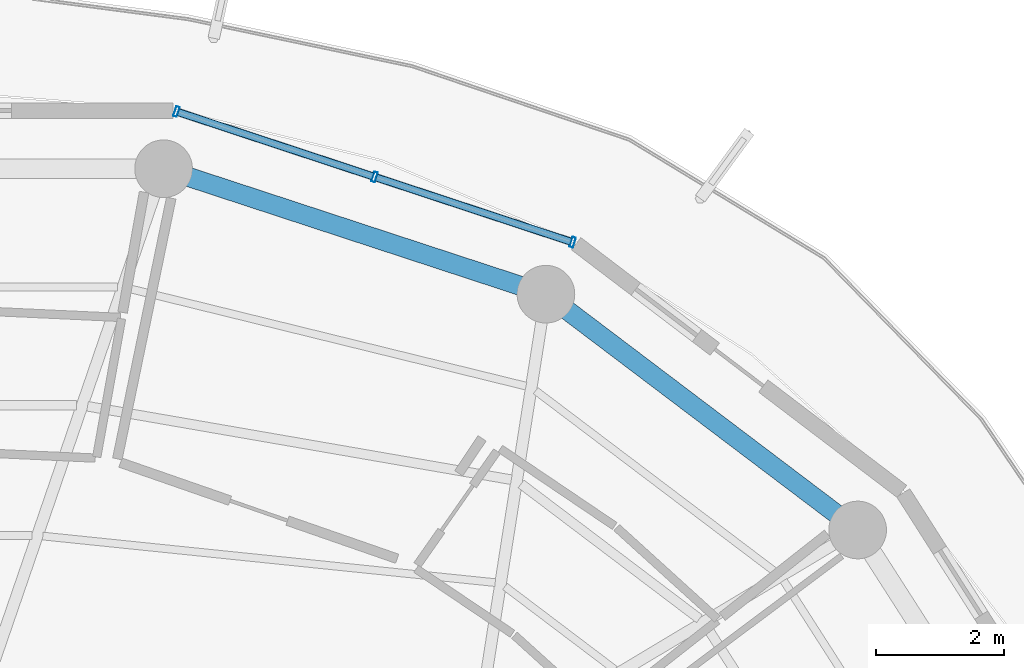
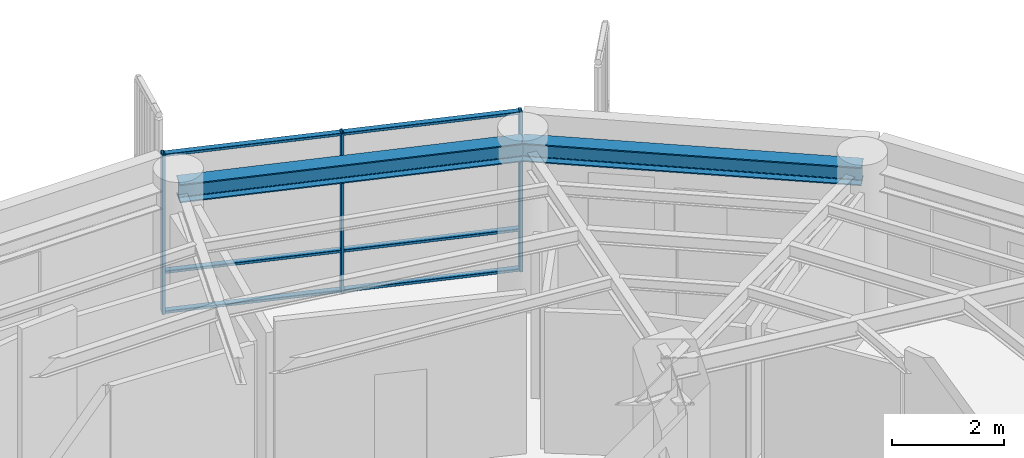
# One storey, part 13 of 22: 9 members, 2 beams, 1 element without a shape of its own.
"""IFC4 building model written with IfcOpenShell, lengths in metres."""

import ifcopenshell
import ifcopenshell.guid

model = None  # the IFC model being written
_history = None  # IfcOwnerHistory: only IFC2X3 demands one
_inside = {}  # id of a spatial element -> (the spatial element, [elements in it])
_under = {}  # id of a project, library or spatial element -> (it, [spatial elements below it])
_declared = {}  # id of a project -> (the project, [libraries it declares])
_typed = {}  # id of a type object -> (the type object, [elements of that type])
_made_of = {}  # id of a material, layer set ... -> (it, [elements and type objects made of it])


def new_model(schema):
    """Start an empty IFC model of exactly this schema.

    Asked for "IFC4X3", IfcOpenShell would pick the latest addendum, in which some entities
    have other attributes; the version numbers below select the first issue.
    IFC2X3 requires an IfcOwnerHistory on every rooted entity: one is made here for all.
    """
    global model, _history
    if schema == "IFC4X3":
        model = ifcopenshell.file(schema_version=(4, 3, 0, 0))
    else:
        model = ifcopenshell.file(schema=schema)
    _inside.clear()
    _under.clear()
    _declared.clear()
    _typed.clear()
    _made_of.clear()
    _history = None
    if model.schema == "IFC2X3":
        org = make("IfcOrganization", Name="unknown")
        user = make(
            "IfcPersonAndOrganization",
            ThePerson=make("IfcPerson", FamilyName="unknown"),
            TheOrganization=org,
        )
        app = make(
            "IfcApplication",
            ApplicationDeveloper=org,
            Version="unknown",
            ApplicationFullName="unknown",
            ApplicationIdentifier="unknown",
        )
        _history = make(
            "IfcOwnerHistory",
            OwningUser=user,
            OwningApplication=app,
            ChangeAction="ADDED",
            CreationDate=0,
        )
    return model


def make(cls, **values):
    """One entity of the class cls with the attributes given. An attribute that is None is left unset."""
    return model.create_entity(
        cls, **{name: value for name, value in values.items() if value is not None}
    )


def rooted(cls, **values):
    """An entity with a GlobalId (a new one), such as an element, a storey or a relation."""
    return make(cls, GlobalId=ifcopenshell.guid.new(), OwnerHistory=_history, **values)


def si_unit(unit_type, name, prefix=None):
    """IfcSIUnit, for example si_unit("LENGTHUNIT", "METRE", prefix="MILLI")."""
    return make("IfcSIUnit", UnitType=unit_type, Prefix=prefix, Name=name)


def assignment(units):
    """IfcUnitAssignment: the units of a project."""
    return None if units is None else make("IfcUnitAssignment", Units=units)


def point(xyz):
    """IfcCartesianPoint."""
    return None if xyz is None else make("IfcCartesianPoint", Coordinates=xyz)


def direction(xyz):
    """IfcDirection."""
    return None if xyz is None else make("IfcDirection", DirectionRatios=xyz)


def frame(location, z_axis=None, x_axis=None):
    """IfcAxis2Placement3D, a coordinate frame: its origin and axes. An axis left out is left unset."""
    return make(
        "IfcAxis2Placement3D",
        Location=point(location),
        Axis=direction(z_axis),
        RefDirection=direction(x_axis),
    )


def frame_2d(location, x_axis=None):
    """IfcAxis2Placement2D, a coordinate frame in the plane: its origin and x axis."""
    return make(
        "IfcAxis2Placement2D", Location=point(location), RefDirection=direction(x_axis)
    )


def origin():
    """The frame at (0, 0, 0) with its axes left unset."""
    return frame((0.0, 0.0, 0.0))


def origin_2d():
    """The frame at (0, 0) in the plane with its x axis left unset."""
    return frame_2d((0.0, 0.0))


def place(relative_to, where):
    """IfcLocalPlacement: puts the frame where relative to a parent placement (None: the world)."""
    return make(
        "IfcLocalPlacement", PlacementRelTo=relative_to, RelativePlacement=where
    )


def context(
    kind, dimensions, precision=None, world=None, true_north=None, identifier=None
):
    """IfcGeometricRepresentationContext, for example the 3D "Model" context."""
    return make(
        "IfcGeometricRepresentationContext",
        ContextIdentifier=identifier,
        ContextType=kind,
        CoordinateSpaceDimension=dimensions,
        Precision=precision,
        WorldCoordinateSystem=world,
        TrueNorth=true_north,
    )


def subcontext(parent, identifier, kind, view, scale=None):
    """IfcGeometricRepresentationSubContext, for example "Body" below "Model"."""
    return make(
        "IfcGeometricRepresentationSubContext",
        ContextIdentifier=identifier,
        ContextType=kind,
        ParentContext=parent,
        TargetScale=scale,
        TargetView=view,
    )


def project(units=None, contexts=None):
    """IfcProject with its units and contexts."""
    return rooted(
        "IfcProject",
        Name="project",
        RepresentationContexts=contexts,
        UnitsInContext=assignment(units),
    )


def spatial(cls, under=None, at=None, **own):
    """A site, building, storey or space (cls), placed at a placement, below another one or the project."""
    s = rooted(cls, ObjectPlacement=at, **own)
    if under is not None:
        _under.setdefault(under.id(), (under, []))[1].append(s)
    return s


def profile(cls, at=None, kind="AREA", **sizes):
    """A parametric profile (cls). Its sizes go by their IFC names, for example OverallWidth=200.0."""
    return make(cls, ProfileType=kind, Position=at, **sizes)


def hollow_rectangle(**sizes):
    """IfcRectangleHollowProfileDef."""
    return profile("IfcRectangleHollowProfileDef", **sizes)


def i_section(**sizes):
    """IfcIShapeProfileDef."""
    return profile("IfcIShapeProfileDef", **sizes)


def extrude(swept, where, along, depth):
    """IfcExtrudedAreaSolid: the profile swept, set in the frame where, extruded along a direction by depth."""
    return make(
        "IfcExtrudedAreaSolid",
        SweptArea=swept,
        Position=where,
        ExtrudedDirection=direction(along),
        Depth=depth,
    )


def shape(context_of_items, identifier, shape_type, items):
    """IfcShapeRepresentation: the items that make up one representation, for example the "Body"."""
    return make(
        "IfcShapeRepresentation",
        ContextOfItems=context_of_items,
        RepresentationIdentifier=identifier,
        RepresentationType=shape_type,
        Items=items,
    )


def material(Name=None, Category=None):
    """IfcMaterial."""
    return make("IfcMaterial", Name=Name, Category=Category)


def layer(
    of_material, thickness, ventilated=None, Name=None, Category=None, Priority=None
):
    """IfcMaterialLayer: one layer of a wall or slab, of a material (None: an air gap)."""
    return make(
        "IfcMaterialLayer",
        Material=of_material,
        LayerThickness=thickness,
        IsVentilated=ventilated,
        Name=Name,
        Category=Category,
        Priority=Priority,
    )


def layer_set(layers, Name=None):
    """IfcMaterialLayerSet."""
    return make("IfcMaterialLayerSet", MaterialLayers=layers, LayerSetName=Name)


def material_profile(
    of_material, cross_section, Name=None, Category=None, Priority=None
):
    """IfcMaterialProfile: a cross section and its material."""
    return make(
        "IfcMaterialProfile",
        Name=Name,
        Material=of_material,
        Profile=cross_section,
        Priority=Priority,
        Category=Category,
    )


def profile_set(profiles, Name=None, composite=None):
    """IfcMaterialProfileSet."""
    return make(
        "IfcMaterialProfileSet",
        Name=Name,
        MaterialProfiles=profiles,
        CompositeProfile=composite,
    )


def made_of(thing, what):
    """Note that an element or type object is made of a material, layer set ...; save() writes the relation."""
    if what is not None:
        _made_of.setdefault(what.id(), (what, []))[1].append(thing)
    return thing


def type_object(cls, material=None, **own):
    """A type object (cls), such as IfcWallType, which elements share."""
    return made_of(rooted(cls, **own), material)


def element(
    cls,
    number,
    at=None,
    inside=None,
    cuts=None,
    type_object=None,
    material=None,
    context=None,
    identifier="Body",
    shape_type=None,
    held_by="IfcProductDefinitionShape",
    body=None,
    shapes=None,
    **own,
):
    """One element of the class cls, such as IfcWall. Its Tag is "e" and its number.

    at: its placement. inside: the storey or other place that contains it. cuts: it is an
    opening in that element (IfcRelVoidsElement). A single representation is given by context,
    identifier, shape_type and body (its items); several are given by shapes. held_by: the class
    of the entity that holds the representations. save() writes the other relations.
    """
    e = rooted(cls, Tag="e%d" % number, ObjectPlacement=at, **own)
    if body is not None:
        shapes = [shape(context, identifier, shape_type, body)]
    if shapes is not None:
        e.Representation = make(held_by, Representations=shapes)
    if inside is not None:
        _inside.setdefault(inside.id(), (inside, []))[1].append(e)
    if cuts is not None:
        rooted(
            "IfcRelVoidsElement", RelatingBuildingElement=cuts, RelatedOpeningElement=e
        )
    if type_object is not None:
        _typed.setdefault(type_object.id(), (type_object, []))[1].append(e)
    return made_of(e, material)


def aggregate(whole, parts):
    """IfcRelAggregates: a whole, such as a stair, and the parts it consists of."""
    return rooted("IfcRelAggregates", RelatingObject=whole, RelatedObjects=parts)


def save(model, path):
    """Write the relations noted so far, then the file.

    IfcRelAggregates (storeys below a building ...), IfcRelContainedInSpatialStructure (elements
    in a storey), IfcRelDefinesByType, IfcRelAssociatesMaterial and IfcRelDeclares: one each for
    every whole, place, type object, material and project.
    """
    for whole, parts in _under.values():
        aggregate(whole, parts)
    for where, things in _inside.values():
        rooted(
            "IfcRelContainedInSpatialStructure",
            RelatedElements=things,
            RelatingStructure=where,
        )
    for kind, things in _typed.values():
        rooted("IfcRelDefinesByType", RelatedObjects=things, RelatingType=kind)
    for what, things in _made_of.values():
        rooted("IfcRelAssociatesMaterial", RelatedObjects=things, RelatingMaterial=what)
    for by, libraries in _declared.values():
        rooted("IfcRelDeclares", RelatingContext=by, RelatedDefinitions=libraries)
    model.write(path)


model = new_model("IFC4")

# Units and contexts
model_context = context("Model", 3, precision=1e-05, world=origin(), true_north=direction((0.0, 1.0)))
body_context = subcontext(model_context, "Body", "Model", "MODEL_VIEW")
ifc_project = project(units=[si_unit("LENGTHUNIT", "METRE"), si_unit("AREAUNIT", "SQUARE_METRE"), si_unit("VOLUMEUNIT", "CUBIC_METRE"), si_unit("PLANEANGLEUNIT", "RADIAN"), si_unit("MASSUNIT", "GRAM", prefix="KILO")], contexts=[model_context])

# Site, building, storey
site_placement = place(None, origin())
site = spatial("IfcSite", under=ifc_project, at=site_placement, CompositionType="ELEMENT")
building_placement = place(site_placement, origin())
building = spatial("IfcBuilding", under=site, at=building_placement, Name="Kelanora Arch Commons", CompositionType="ELEMENT")
storey_placement = place(building_placement, frame((0.0, 0.0, 274.949951171875)))
storey = spatial("IfcBuildingStorey", under=building, at=storey_placement, Name="L70", CompositionType="ELEMENT", Elevation=274.949951171875)

# Beams
ifc_material_1 = material(Name="Steel S355", Category="steel")
ifc_material_profile_1 = material_profile(ifc_material_1, i_section(OverallWidth=0.300048828125, OverallDepth=0.39990234375, WebThickness=0.013427734375, FlangeThickness=0.02392578125, FilletRadius=0.027099609375, at=origin_2d()), Name="HEB400")
ifc_profile_set_1 = profile_set([ifc_material_profile_1], Name="Steel S355")
beam_type = type_object("IfcBeamType", Name="BM-SPN-Z4", PredefinedType="SPANDREL", material=ifc_profile_set_1)
beam_1_placement = place(storey_placement, frame((88.00341796875, 68.593017578125, 3.2900390625), z_axis=(-0.797509460967, 0.603306439273, 0.0), x_axis=(-0.603306439273, -0.797509460967, 0.0)))
element("IfcBeam", 1, at=beam_1_placement, inside=storey, type_object=beam_type, Name="Perimeter Spandrel Beam BS-04 L70", PredefinedType="SPANDREL", context=body_context, shape_type="SweptSolid", body=[
    extrude(i_section(OverallWidth=0.300048828125, OverallDepth=0.39990234375, WebThickness=0.013427734375, FlangeThickness=0.02392578125, FilletRadius=0.027099609375, at=origin_2d()), origin(), (0.0, 0.0, 1.0), 6.098388671875),
])
beam_2_placement = place(storey_placement, frame((83.139892578125, 72.272216796875, 3.2900390625), z_axis=(-0.950165923039, 0.311744636996, 0.0), x_axis=(-0.311744636996, -0.950165923039, 0.0)))
element("IfcBeam", 2, at=beam_2_placement, inside=storey, type_object=beam_type, Name="Perimeter Spandrel Beam BS-06 L70", PredefinedType="SPANDREL", context=body_context, shape_type="SweptSolid", body=[
    extrude(i_section(OverallWidth=0.300048828125, OverallDepth=0.39990234375, WebThickness=0.013427734375, FlangeThickness=0.02392578125, FilletRadius=0.027099609375, at=origin_2d()), origin(), (0.0, 0.0, 1.0), 6.278564453125),
])

# Curtain wall, members
ifc_material_2 = material(Name="Terracotta ceramic-fritted low-E glass and aluminium", Category="masonry")
ifc_layer = layer(ifc_material_2, 0.18994140625)
ifc_layer_set = layer_set([ifc_layer], Name="Terracotta ceramic-fritted low-E glass and aluminium")
curtain_wall_type = type_object("IfcCurtainWallType", Name="CW-SYS-03", PredefinedType="NOTDEFINED", material=ifc_layer_set)
curtain_wall_placement = place(storey_placement, origin())
curtain_wall = element("IfcCurtainWall", 3, at=curtain_wall_placement, inside=storey, type_object=curtain_wall_type, Name="Unitised Curtain Wall L70-B03", PredefinedType="NOTDEFINED")
ifc_material_3 = material(Name="Powder-coated aluminium terracotta", Category="masonry")
ifc_material_profile_2 = material_profile(ifc_material_3, hollow_rectangle(XDim=0.159912109375, YDim=0.06005859375, WallThickness=0.0048828125, InnerFilletRadius=0.0048828125, OuterFilletRadius=0.010009765625, at=origin_2d()), Name="CWM160x60")
ifc_profile_set_2 = profile_set([ifc_material_profile_2], Name="Powder-coated aluminium terracotta")
member_type_1 = type_object("IfcMemberType", Name="CWM-STD", PredefinedType="MULLION", material=ifc_profile_set_2)
member_1_placement = place(storey_placement, frame((83.557373046875, 73.0830078125, 0.0), z_axis=(0.0, 0.0, 1.0), x_axis=(-0.313252785344, -0.949669780752, 0.0)))
member_1 = element("IfcMember", 4, at=member_1_placement, type_object=member_type_1, Name="CW-03 mullion 1", PredefinedType="MULLION", context=body_context, shape_type="SweptSolid", body=[
    extrude(hollow_rectangle(XDim=0.159912109375, YDim=0.06005859375, WallThickness=0.0048828125, InnerFilletRadius=0.0048828125, OuterFilletRadius=0.010009765625, at=origin_2d()), origin(), (0.0, 0.0, 1.0), 3.47509765625),
])
member_2_placement = place(storey_placement, frame((80.467041015625, 74.102294921875, 0.0), z_axis=(0.0, 0.0, 1.0), x_axis=(-0.313252785344, -0.949669780752, 0.0)))
member_2 = element("IfcMember", 5, at=member_2_placement, type_object=member_type_1, Name="CW-03 mullion 2", PredefinedType="MULLION", context=body_context, shape_type="SweptSolid", body=[
    extrude(hollow_rectangle(XDim=0.159912109375, YDim=0.06005859375, WallThickness=0.0048828125, InnerFilletRadius=0.0048828125, OuterFilletRadius=0.010009765625, at=origin_2d()), origin(), (0.0, 0.0, 1.0), 3.47509765625),
])
member_3_placement = place(storey_placement, frame((77.376708984375, 75.12158203125, 0.0), z_axis=(0.0, 0.0, 1.0), x_axis=(-0.313252785344, -0.949669780752, 0.0)))
member_3 = element("IfcMember", 6, at=member_3_placement, type_object=member_type_1, Name="CW-03 mullion 3", PredefinedType="MULLION", context=body_context, shape_type="SweptSolid", body=[
    extrude(hollow_rectangle(XDim=0.159912109375, YDim=0.06005859375, WallThickness=0.0048828125, InnerFilletRadius=0.0048828125, OuterFilletRadius=0.010009765625, at=origin_2d()), origin(), (0.0, 0.0, 1.0), 3.47509765625),
])
ifc_material_profile_3 = material_profile(ifc_material_3, hollow_rectangle(XDim=0.1201171875, YDim=0.06005859375, WallThickness=0.0048828125, InnerFilletRadius=0.0048828125, OuterFilletRadius=0.010009765625, at=origin_2d()), Name="CWT120x60")
ifc_profile_set_3 = profile_set([ifc_material_profile_3], Name="Powder-coated aluminium terracotta")
member_type_2 = type_object("IfcMemberType", Name="CWT-STD", PredefinedType="USERDEFINED", material=ifc_profile_set_3)
member_4_placement = place(storey_placement, frame((83.52880859375, 73.09228515625, 0.030029296875), z_axis=(-0.949672315102, 0.313245102003, 0.0), x_axis=(-0.313245102003, -0.949672315102, 0.0)))
member_4 = element("IfcMember", 7, at=member_4_placement, type_object=member_type_2, Name="CW-03 transom 1.1", ObjectType="TRANSOM", PredefinedType="USERDEFINED", context=body_context, shape_type="SweptSolid", body=[
    extrude(hollow_rectangle(XDim=0.1201171875, YDim=0.06005859375, WallThickness=0.0048828125, InnerFilletRadius=0.0048828125, OuterFilletRadius=0.010009765625, at=origin_2d()), origin(), (0.0, 0.0, 1.0), 3.19384765625),
])
member_5_placement = place(storey_placement, frame((83.52880859375, 73.09228515625, 0.900146484375), z_axis=(-0.949672315102, 0.313245102003, 0.0), x_axis=(-0.313245102003, -0.949672315102, 0.0)))
member_5 = element("IfcMember", 8, at=member_5_placement, type_object=member_type_2, Name="CW-03 transom 1.2", ObjectType="TRANSOM", PredefinedType="USERDEFINED", context=body_context, shape_type="SweptSolid", body=[
    extrude(hollow_rectangle(XDim=0.1201171875, YDim=0.06005859375, WallThickness=0.0048828125, InnerFilletRadius=0.0048828125, OuterFilletRadius=0.010009765625, at=origin_2d()), origin(), (0.0, 0.0, 1.0), 3.19384765625),
])
member_6_placement = place(storey_placement, frame((83.52880859375, 73.09228515625, 3.445068359375), z_axis=(-0.949672315102, 0.313245102003, 0.0), x_axis=(-0.313245102003, -0.949672315102, 0.0)))
member_6 = element("IfcMember", 9, at=member_6_placement, type_object=member_type_2, Name="CW-03 transom 1.3", ObjectType="TRANSOM", PredefinedType="USERDEFINED", context=body_context, shape_type="SweptSolid", body=[
    extrude(hollow_rectangle(XDim=0.1201171875, YDim=0.06005859375, WallThickness=0.0048828125, InnerFilletRadius=0.0048828125, OuterFilletRadius=0.010009765625, at=origin_2d()), origin(), (0.0, 0.0, 1.0), 3.19384765625),
])
member_7_placement = place(storey_placement, frame((80.4384765625, 74.111572265625, 0.030029296875), z_axis=(-0.949649574195, 0.313314037719, 0.0), x_axis=(-0.313314037719, -0.949649574195, 0.0)))
member_7 = element("IfcMember", 10, at=member_7_placement, type_object=member_type_2, Name="CW-03 transom 2.1", ObjectType="TRANSOM", PredefinedType="USERDEFINED", context=body_context, shape_type="SweptSolid", body=[
    extrude(hollow_rectangle(XDim=0.1201171875, YDim=0.06005859375, WallThickness=0.0048828125, InnerFilletRadius=0.0048828125, OuterFilletRadius=0.010009765625, at=origin_2d()), origin(), (0.0, 0.0, 1.0), 3.194091796875),
])
member_8_placement = place(storey_placement, frame((80.4384765625, 74.111572265625, 0.900146484375), z_axis=(-0.949649574195, 0.313314037719, 0.0), x_axis=(-0.313314037719, -0.949649574195, 0.0)))
member_8 = element("IfcMember", 11, at=member_8_placement, type_object=member_type_2, Name="CW-03 transom 2.2", ObjectType="TRANSOM", PredefinedType="USERDEFINED", context=body_context, shape_type="SweptSolid", body=[
    extrude(hollow_rectangle(XDim=0.1201171875, YDim=0.06005859375, WallThickness=0.0048828125, InnerFilletRadius=0.0048828125, OuterFilletRadius=0.010009765625, at=origin_2d()), origin(), (0.0, 0.0, 1.0), 3.194091796875),
])
member_9_placement = place(storey_placement, frame((80.4384765625, 74.111572265625, 3.445068359375), z_axis=(-0.949649574195, 0.313314037719, 0.0), x_axis=(-0.313314037719, -0.949649574195, 0.0)))
member_9 = element("IfcMember", 12, at=member_9_placement, type_object=member_type_2, Name="CW-03 transom 2.3", ObjectType="TRANSOM", PredefinedType="USERDEFINED", context=body_context, shape_type="SweptSolid", body=[
    extrude(hollow_rectangle(XDim=0.1201171875, YDim=0.06005859375, WallThickness=0.0048828125, InnerFilletRadius=0.0048828125, OuterFilletRadius=0.010009765625, at=origin_2d()), origin(), (0.0, 0.0, 1.0), 3.194091796875),
])
aggregate(curtain_wall, [member_1, member_2, member_3, member_4, member_5, member_6, member_7, member_8, member_9])

save(model, "model.ifc")
